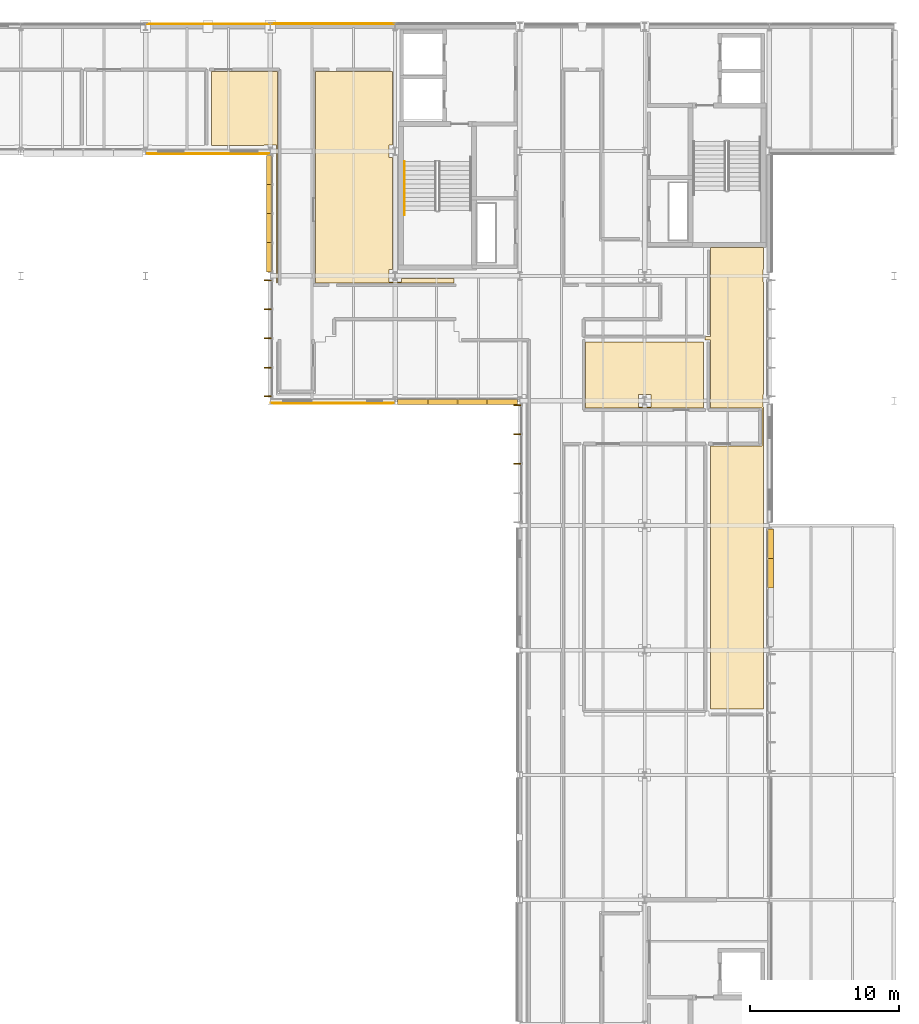
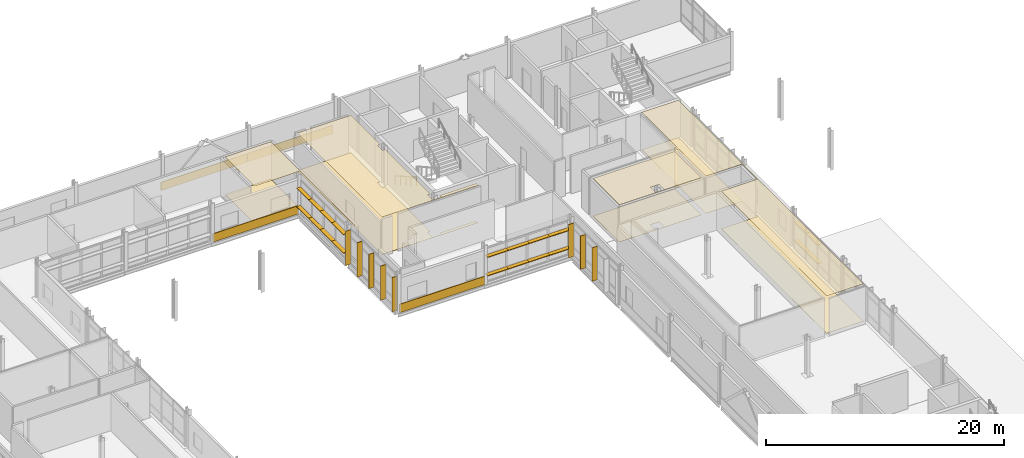
# One storey, part 149 of 151: 28 shading devices, 12 coverings, 1 railing.
"""IFC4 building model written with IfcOpenShell, lengths in metres."""

from ifc_helpers import new_model, si_unit, direction, frame, origin, origin_2d, place, context, subcontext, project, spatial, polyline, rectangle, circle, outline, extrude, material, layer, layer_set, type_object, element, save


model = new_model("IFC4")

# Units and contexts
model_context = context("Model", 3, precision=1e-05, world=origin(), true_north=direction((0.0, 1.0)))
body_context = subcontext(model_context, "Body", "Model", "MODEL_VIEW")
ifc_project = project(units=[si_unit("LENGTHUNIT", "METRE"), si_unit("AREAUNIT", "SQUARE_METRE"), si_unit("VOLUMEUNIT", "CUBIC_METRE"), si_unit("PLANEANGLEUNIT", "RADIAN"), si_unit("MASSUNIT", "GRAM", prefix="KILO")], contexts=[model_context])

# Site, building, storey
site_placement = place(None, origin())
site = spatial("IfcSite", under=ifc_project, at=site_placement, CompositionType="ELEMENT")
building_placement = place(site_placement, origin())
building = spatial("IfcBuilding", under=site, at=building_placement, Name="Mersafa Astral City Hall", CompositionType="ELEMENT")
storey_placement = place(building_placement, frame((0.0, 0.0, 9.89990234375)))
storey = spatial("IfcBuildingStorey", under=building, at=storey_placement, Name="L02", CompositionType="ELEMENT", Elevation=9.89990234375)

# Coverings
ifc_material_1 = material(Name="Cairo Mokattam buff limestone cladding", Category="masonry")
ifc_layer_1 = layer(ifc_material_1, 0.06005859375, Name="Cairo Mokattam buff limestone cladding")
ifc_layer_set_1 = layer_set([ifc_layer_1], Name="Cairo Mokattam buff limestone cladding — ENV-COV-LIMESTONE-60")
covering_type_1 = type_object("IfcCoveringType", Name="ENV-COV-LIMESTONE-60", PredefinedType="CLADDING", material=ifc_layer_set_1)
for number, where, z_axis, x_axis, name in (
    (1, (138.60009765625, 117.430419921875, 0.0), (0.0, 0.0, 1.0), (1.0, 0.0, 0.0), "L02 Cairo buff limestone rainscreen cladding 162"),
    (2, (147.0, 100.637939453125, 0.0), (0.0, 0.0, 1.0), (1.0, 0.0, 0.0), "L02 Cairo buff limestone rainscreen cladding 163"),
    (3, (147.0, 126.16943359375, 0.0), (0.0, 0.0, 1.0), (-1.0, 0.0, 0.0), "L02 Cairo buff limestone rainscreen cladding 180"),
    (4, (138.60009765625, 126.162109375, 0.0), (0.0, 0.0, 1.0), (-1.0, 0.0, 0.0), "L02 Cairo buff limestone rainscreen cladding 181"),
):
    element("IfcCovering", number, at=place(storey_placement, frame(where, z_axis=z_axis, x_axis=x_axis)), inside=storey, type_object=covering_type_1, Name=name, PredefinedType="CLADDING", context=body_context, shape_type="SweptSolid", body=[
        extrude(rectangle(XDim=8.323974609375, YDim=0.06005859375, at=origin_2d()), origin(), (0.0, 0.0, 1.0), 0.860107421875),
    ])

# Shading devices
ifc_material_2 = material(Name="Anodised bronze aluminium solar fin", Category="aluminium")
shading_device_type_1 = type_object("IfcShadingDeviceType", Name="ENV-SHD-FIN-500A", PredefinedType="USERDEFINED", material=ifc_material_2)
for number, where, z_axis, x_axis, name in (
    (5, (142.655029296875, 108.907958984375, -0.0146484375), (0.0, 0.0, 1.0), (0.0, -1.0, 0.0), "L02 Vertical bronze solar fin 766"),
    (6, (142.655029296875, 106.968994140625, -0.0146484375), (0.0, 0.0, 1.0), (0.0, -1.0, 0.0), "L02 Vertical bronze solar fin 767"),
    (7, (142.655029296875, 105.0, -0.0146484375), (0.0, 0.0, 1.0), (0.0, -1.0, 0.0), "L02 Vertical bronze solar fin 768"),
    (8, (142.655029296875, 103.031005859375, -0.0146484375), (0.0, 0.0, 1.0), (0.0, -1.0, 0.0), "L02 Vertical bronze solar fin 769"),
    (9, (142.655029296875, 101.092041015625, -0.0146484375), (0.0, 0.0, 1.0), (0.0, -1.0, 0.0), "L02 Vertical bronze solar fin 770"),
):
    element("IfcShadingDevice", number, at=place(storey_placement, frame(where, z_axis=z_axis, x_axis=x_axis)), inside=storey, type_object=shading_device_type_1, Name=name, ObjectType="FIN", PredefinedType="USERDEFINED", context=body_context, shape_type="SweptSolid", body=[
        extrude(rectangle(XDim=0.06005859375, YDim=0.5, at=origin_2d()), origin(), (0.0, 0.0, 1.0), 3.511962890625),
    ])
for number, where, z_axis, x_axis, name in (
    (10, (159.455078125, 100.508056640625, -0.01513671875), (0.0, 0.0, 1.0), (0.0, -1.0, 0.0), "L02 Vertical bronze solar fin 779"),
    (11, (159.455078125, 98.551513671875, -0.01513671875), (0.0, 0.0, 1.0), (0.0, -1.0, 0.0), "L02 Vertical bronze solar fin 780"),
    (12, (159.455078125, 96.56494140625, -0.01513671875), (0.0, 0.0, 1.0), (0.0, -1.0, 0.0), "L02 Vertical bronze solar fin 781"),
):
    element("IfcShadingDevice", number, at=place(storey_placement, frame(where, z_axis=z_axis, x_axis=x_axis)), inside=storey, type_object=shading_device_type_1, Name=name, ObjectType="FIN", PredefinedType="USERDEFINED", context=body_context, shape_type="SweptSolid", body=[
        extrude(rectangle(XDim=0.06005859375, YDim=0.5, at=origin_2d()), origin(), (0.0, 0.0, 1.0), 3.422119140625),
    ])
ifc_material_3 = material(Name="Kiln-dried cedar timber brise-soleil blade", Category="wood")
shading_device_type_2 = type_object("IfcShadingDeviceType", Name="ENV-SHD-LOUVRE-380", PredefinedType="JALOUSIE", material=ifc_material_3)
shading_device_1_placement = place(storey_placement, frame((142.719970703125, 116.33837890625, 0.81494140625), z_axis=(0.0, 0.0, 1.0), x_axis=(0.0, -1.0, 0.0)))
element("IfcShadingDevice", 13, at=shading_device_1_placement, inside=storey, type_object=shading_device_type_2, Name="L02 Horizontal cedar brise-soleil louvre 758", PredefinedType="JALOUSIE", context=body_context, shape_type="SweptSolid", body=[
    extrude(rectangle(XDim=1.97900390625, YDim=0.3798828125, at=origin_2d()), origin(), (0.0, 0.0, 1.0), 0.070068359375),
])
for number, where, z_axis, x_axis, name in (
    (14, (142.719970703125, 114.384521484375, 0.81494140625), (0.0, 0.0, 1.0), (0.0, -1.0, 0.0), "L02 Horizontal cedar brise-soleil louvre 759"),
    (15, (142.719970703125, 112.41552734375, 0.81494140625), (0.0, 0.0, 1.0), (0.0, -1.0, 0.0), "L02 Horizontal cedar brise-soleil louvre 760"),
):
    element("IfcShadingDevice", number, at=place(storey_placement, frame(where, z_axis=z_axis, x_axis=x_axis)), inside=storey, type_object=shading_device_type_2, Name=name, PredefinedType="JALOUSIE", context=body_context, shape_type="SweptSolid", body=[
        extrude(rectangle(XDim=2.009033203125, YDim=0.3798828125, at=origin_2d()), origin(), (0.0, 0.0, 1.0), 0.070068359375),
    ])
for number, where, z_axis, x_axis, name in (
    (16, (142.719970703125, 110.46142578125, 0.81494140625), (0.0, 0.0, 1.0), (0.0, -1.0, 0.0), "L02 Horizontal cedar brise-soleil louvre 761"),
    (17, (142.719970703125, 116.33837890625, 2.71484375), (0.0, 0.0, 1.0), (0.0, -1.0, 0.0), "L02 Horizontal cedar brise-soleil louvre 762"),
):
    element("IfcShadingDevice", number, at=place(storey_placement, frame(where, z_axis=z_axis, x_axis=x_axis)), inside=storey, type_object=shading_device_type_2, Name=name, PredefinedType="JALOUSIE", context=body_context, shape_type="SweptSolid", body=[
        extrude(rectangle(XDim=1.97900390625, YDim=0.3798828125, at=origin_2d()), origin(), (0.0, 0.0, 1.0), 0.070068359375),
    ])
for number, where, z_axis, x_axis, name in (
    (18, (142.719970703125, 114.384521484375, 2.71484375), (0.0, 0.0, 1.0), (0.0, -1.0, 0.0), "L02 Horizontal cedar brise-soleil louvre 763"),
    (19, (142.719970703125, 112.41552734375, 2.71484375), (0.0, 0.0, 1.0), (0.0, -1.0, 0.0), "L02 Horizontal cedar brise-soleil louvre 764"),
):
    element("IfcShadingDevice", number, at=place(storey_placement, frame(where, z_axis=z_axis, x_axis=x_axis)), inside=storey, type_object=shading_device_type_2, Name=name, PredefinedType="JALOUSIE", context=body_context, shape_type="SweptSolid", body=[
        extrude(rectangle(XDim=2.009033203125, YDim=0.3798828125, at=origin_2d()), origin(), (0.0, 0.0, 1.0), 0.070068359375),
    ])
shading_device_2_placement = place(storey_placement, frame((142.719970703125, 110.46142578125, 2.71484375), z_axis=(0.0, 0.0, 1.0), x_axis=(0.0, -1.0, 0.0)))
element("IfcShadingDevice", 20, at=shading_device_2_placement, inside=storey, type_object=shading_device_type_2, Name="L02 Horizontal cedar brise-soleil louvre 765", PredefinedType="JALOUSIE", context=body_context, shape_type="SweptSolid", body=[
    extrude(rectangle(XDim=1.97900390625, YDim=0.3798828125, at=origin_2d()), origin(), (0.0, 0.0, 1.0), 0.070068359375),
])
shading_device_3_placement = place(storey_placement, frame((152.386474609375, 100.719970703125, 0.81494140625), z_axis=(0.0, 0.0, 1.0), x_axis=(1.0, 0.0, 0.0)))
element("IfcShadingDevice", 21, at=shading_device_3_placement, inside=storey, type_object=shading_device_type_2, Name="L02 Horizontal cedar brise-soleil louvre 771", PredefinedType="JALOUSIE", context=body_context, shape_type="SweptSolid", body=[
    extrude(rectangle(XDim=2.029052734375, YDim=0.3798828125, at=origin_2d()), origin(), (0.0, 0.0, 1.0), 0.070068359375),
])
for number, where, z_axis, x_axis, name in (
    (22, (154.390380859375, 100.719970703125, 0.81494140625), (0.0, 0.0, 1.0), (1.0, 0.0, 0.0), "L02 Horizontal cedar brise-soleil louvre 772"),
    (23, (156.409423828125, 100.719970703125, 0.81494140625), (0.0, 0.0, 1.0), (1.0, 0.0, 0.0), "L02 Horizontal cedar brise-soleil louvre 773"),
):
    element("IfcShadingDevice", number, at=place(storey_placement, frame(where, z_axis=z_axis, x_axis=x_axis)), inside=storey, type_object=shading_device_type_2, Name=name, PredefinedType="JALOUSIE", context=body_context, shape_type="SweptSolid", body=[
        extrude(rectangle(XDim=2.05908203125, YDim=0.3798828125, at=origin_2d()), origin(), (0.0, 0.0, 1.0), 0.070068359375),
    ])
for number, where, z_axis, x_axis, name in (
    (24, (158.41357421875, 100.719970703125, 0.81494140625), (0.0, 0.0, 1.0), (1.0, 0.0, 0.0), "L02 Horizontal cedar brise-soleil louvre 774"),
    (25, (152.386474609375, 100.719970703125, 2.71484375), (0.0, 0.0, 1.0), (1.0, 0.0, 0.0), "L02 Horizontal cedar brise-soleil louvre 775"),
):
    element("IfcShadingDevice", number, at=place(storey_placement, frame(where, z_axis=z_axis, x_axis=x_axis)), inside=storey, type_object=shading_device_type_2, Name=name, PredefinedType="JALOUSIE", context=body_context, shape_type="SweptSolid", body=[
        extrude(rectangle(XDim=2.029052734375, YDim=0.3798828125, at=origin_2d()), origin(), (0.0, 0.0, 1.0), 0.070068359375),
    ])
for number, where, z_axis, x_axis, name in (
    (26, (154.390380859375, 100.719970703125, 2.71484375), (0.0, 0.0, 1.0), (1.0, 0.0, 0.0), "L02 Horizontal cedar brise-soleil louvre 776"),
    (27, (156.409423828125, 100.719970703125, 2.71484375), (0.0, 0.0, 1.0), (1.0, 0.0, 0.0), "L02 Horizontal cedar brise-soleil louvre 777"),
):
    element("IfcShadingDevice", number, at=place(storey_placement, frame(where, z_axis=z_axis, x_axis=x_axis)), inside=storey, type_object=shading_device_type_2, Name=name, PredefinedType="JALOUSIE", context=body_context, shape_type="SweptSolid", body=[
        extrude(rectangle(XDim=2.05908203125, YDim=0.3798828125, at=origin_2d()), origin(), (0.0, 0.0, 1.0), 0.070068359375),
    ])
shading_device_4_placement = place(storey_placement, frame((158.41357421875, 100.719970703125, 2.71484375), z_axis=(0.0, 0.0, 1.0), x_axis=(1.0, 0.0, 0.0)))
element("IfcShadingDevice", 28, at=shading_device_4_placement, inside=storey, type_object=shading_device_type_2, Name="L02 Horizontal cedar brise-soleil louvre 778", PredefinedType="JALOUSIE", context=body_context, shape_type="SweptSolid", body=[
    extrude(rectangle(XDim=2.029052734375, YDim=0.3798828125, at=origin_2d()), origin(), (0.0, 0.0, 1.0), 0.070068359375),
])
shading_device_5_placement = place(storey_placement, frame((176.47998046875, 89.190673828125, 0.81494140625), z_axis=(0.0, 0.0, 1.0), x_axis=(0.0, 1.0, 0.0)))
element("IfcShadingDevice", 29, at=shading_device_5_placement, inside=storey, type_object=shading_device_type_2, Name="L02 Horizontal cedar brise-soleil louvre 799", PredefinedType="JALOUSIE", context=body_context, shape_type="SweptSolid", body=[
    extrude(rectangle(XDim=2.021484375, YDim=0.3798828125, at=origin_2d()), origin(), (0.0, 0.0, 1.0), 0.070068359375),
])
shading_device_6_placement = place(storey_placement, frame((176.47998046875, 91.1572265625, 0.81494140625), z_axis=(0.0, 0.0, 1.0), x_axis=(0.0, 1.0, 0.0)))
element("IfcShadingDevice", 30, at=shading_device_6_placement, inside=storey, type_object=shading_device_type_2, Name="L02 Horizontal cedar brise-soleil louvre 800", PredefinedType="JALOUSIE", context=body_context, shape_type="SweptSolid", body=[
    extrude(rectangle(XDim=1.991455078125, YDim=0.3798828125, at=origin_2d()), origin(), (0.0, 0.0, 1.0), 0.070068359375),
])
shading_device_7_placement = place(storey_placement, frame((176.47998046875, 89.190673828125, 2.71484375), z_axis=(0.0, 0.0, 1.0), x_axis=(0.0, 1.0, 0.0)))
element("IfcShadingDevice", 31, at=shading_device_7_placement, inside=storey, type_object=shading_device_type_2, Name="L02 Horizontal cedar brise-soleil louvre 803", PredefinedType="JALOUSIE", context=body_context, shape_type="SweptSolid", body=[
    extrude(rectangle(XDim=2.021484375, YDim=0.3798828125, at=origin_2d()), origin(), (0.0, 0.0, 1.0), 0.070068359375),
])
shading_device_8_placement = place(storey_placement, frame((176.47998046875, 91.1572265625, 2.71484375), z_axis=(0.0, 0.0, 1.0), x_axis=(0.0, 1.0, 0.0)))
element("IfcShadingDevice", 32, at=shading_device_8_placement, inside=storey, type_object=shading_device_type_2, Name="L02 Horizontal cedar brise-soleil louvre 804", PredefinedType="JALOUSIE", context=body_context, shape_type="SweptSolid", body=[
    extrude(rectangle(XDim=1.991455078125, YDim=0.3798828125, at=origin_2d()), origin(), (0.0, 0.0, 1.0), 0.070068359375),
])

# Railing
ifc_material_4 = material(Name="Brushed stainless steel tubular handrail", Category="steel")
railing_type = type_object("IfcRailingType", Name="HANDRAIL", PredefinedType="HANDRAIL", material=ifc_material_4)
railing_placement = place(storey_placement, frame((151.830078125, 116.89990234375, 0.1689453125)))
element("IfcRailing", 33, at=railing_placement, inside=storey, type_object=railing_type, Name="L02 ST1 stair handrail 1", PredefinedType="HANDRAIL", context=body_context, shape_type="SweptSolid", body=[
    extrude(circle(Radius=0.02392578125, at=origin_2d()), frame((0.0, 0.0, 0.8759765625), z_axis=(0.0, -0.871273963605, 0.490796984856), x_axis=(1.0, 0.0, 0.0)), (0.0, 0.0, 1.0), 4.131591796875),
    extrude(circle(Radius=0.02099609375, at=origin_2d()), origin(), (0.0, 0.0, 1.0), 0.851806640625),
    extrude(circle(Radius=0.02099609375, at=origin_2d()), frame((0.0, -0.89990234375, 0.5068359375)), (0.0, 0.0, 1.0), 0.851806640625),
    extrude(circle(Radius=0.02099609375, at=origin_2d()), frame((0.0, -1.7998046875, 1.013916015625)), (0.0, 0.0, 1.0), 0.851806640625),
    extrude(circle(Radius=0.02099609375, at=origin_2d()), frame((0.0, -2.699951171875, 1.52099609375)), (0.0, 0.0, 1.0), 0.851806640625),
    extrude(circle(Radius=0.02099609375, at=origin_2d()), frame((0.0, -3.599853515625, 2.02783203125)), (0.0, 0.0, 1.0), 0.851806640625),
])

# Coverings
ifc_material_5 = material(Name="Perforated acoustic gypsum board ceiling", Category="gypsum")
ifc_layer_2 = layer(ifc_material_5, 0.02490234375, Name="Perforated acoustic gypsum board ceiling")
ifc_layer_set_2 = layer_set([ifc_layer_2], Name="Perforated acoustic gypsum board ceiling — INT-COV-CEIL-25")
covering_type_2 = type_object("IfcCoveringType", Name="INT-COV-CEIL-25", PredefinedType="CEILING", material=ifc_layer_set_2)
covering_1_placement = place(storey_placement, frame((0.0, 0.0, 3.8310546875)))
element("IfcCovering", 34, at=covering_1_placement, inside=storey, type_object=covering_type_2, Name="L02 Civic Model Exhibition Room L02-09 acoustic ceiling", PredefinedType="CEILING", context=body_context, shape_type="SweptSolid", body=[
    extrude(outline(polyline([(175.919921875, 100.320068359375), (172.429931640625, 100.320068359375), (172.429931640625, 104.8798828125), (172.080078125, 104.8798828125), (172.080078125, 105.1201171875), (172.429931640625, 105.1201171875), (172.429931640625, 111.1201171875), (176.0, 111.1201171875), (176.0, 109.6201171875), (175.97998046875, 109.6201171875), (175.97998046875, 108.780029296875), (176.0, 108.780029296875), (176.0, 101.219970703125), (175.97998046875, 101.219970703125), (175.97998046875, 100.3798828125), (176.0, 100.3798828125), (176.0, 80.030029296875), (172.429931640625, 80.030029296875), (172.429931640625, 97.760009765625), (175.919921875, 97.760009765625), (175.919921875, 100.320068359375)])), origin(), (0.0, 0.0, 1.0), 0.025146484375),
])
covering_2_placement = place(storey_placement, frame((0.0, 0.0, 3.8310546875)))
element("IfcCovering", 35, at=covering_2_placement, inside=storey, type_object=covering_type_2, Name="L02 Hearing Room L02-13 acoustic ceiling", PredefinedType="CEILING", context=body_context, shape_type="SweptSolid", body=[
    extrude(outline(polyline([(151.0400390625, 118.02001953125), (150.780029296875, 118.02001953125), (150.780029296875, 117.179931640625), (151.0400390625, 117.179931640625), (151.0400390625, 109.6201171875), (150.780029296875, 109.6201171875), (150.780029296875, 108.780029296875), (151.6201171875, 108.780029296875), (151.6201171875, 109.0400390625), (155.169921875, 109.0400390625), (155.169921875, 108.719970703125), (145.840087890625, 108.719970703125), (145.840087890625, 122.9599609375), (151.0400390625, 122.9599609375), (151.0400390625, 118.02001953125)])), origin(), (0.0, 0.0, 1.0), 0.025146484375),
])
covering_3_placement = place(storey_placement, frame((0.0, 0.0, 3.8310546875)))
element("IfcCovering", 36, at=covering_3_placement, inside=storey, type_object=covering_type_2, Name="L02 Urban Planning Studio L02-25 acoustic ceiling", PredefinedType="CEILING", context=body_context, shape_type="SweptSolid", body=[
    extrude(outline(polyline([(171.969970703125, 104.77001953125), (171.969970703125, 100.320068359375), (164.030029296875, 100.320068359375), (164.030029296875, 104.77001953125), (171.969970703125, 104.77001953125)]), holes=[polyline([(167.580078125, 100.3798828125), (168.419921875, 100.3798828125), (168.419921875, 101.219970703125), (167.580078125, 101.219970703125), (167.580078125, 100.3798828125)])]), origin(), (0.0, 0.0, 1.0), 0.025146484375),
])
covering_4_placement = place(storey_placement, frame((0.0, 0.0, 3.8310546875)))
element("IfcCovering", 37, at=covering_4_placement, inside=storey, type_object=covering_type_2, Name="L02 Civic Model Exhibition Room L02-27 acoustic ceiling", PredefinedType="CEILING", context=body_context, shape_type="SweptSolid", body=[
    extrude(outline(polyline([(138.830078125, 118.0), (138.830078125, 122.9599609375), (143.280029296875, 122.9599609375), (143.280029296875, 108.719970703125), (143.199951171875, 108.719970703125), (143.199951171875, 108.780029296875), (143.219970703125, 108.780029296875), (143.219970703125, 109.6201171875), (143.199951171875, 109.6201171875), (143.199951171875, 117.179931640625), (143.219970703125, 117.179931640625), (143.219970703125, 118.02001953125), (142.3798828125, 118.02001953125), (142.3798828125, 118.0), (138.830078125, 118.0)])), origin(), (0.0, 0.0, 1.0), 0.025146484375),
])
ifc_material_6 = material(Name="Heavy-duty woven acoustic carpet tile", Category="finish")
ifc_layer_3 = layer(ifc_material_6, 0.014892578125, Name="Heavy-duty woven acoustic carpet tile")
ifc_layer_set_3 = layer_set([ifc_layer_3], Name="Heavy-duty woven acoustic carpet tile — INT-COV-FLR-15")
covering_type_3 = type_object("IfcCoveringType", Name="INT-COV-FLR-15", PredefinedType="FLOORING", material=ifc_layer_set_3)
covering_5_placement = place(storey_placement, frame((0.0, 0.0, -0.00146484375)))
element("IfcCovering", 38, at=covering_5_placement, inside=storey, type_object=covering_type_3, Name="L02 Civic Model Exhibition Room L02-09 architectural flooring", PredefinedType="FLOORING", context=body_context, shape_type="SweptSolid", body=[
    extrude(outline(polyline([(175.919921875, 100.320068359375), (172.429931640625, 100.320068359375), (172.429931640625, 104.8798828125), (172.080078125, 104.8798828125), (172.080078125, 105.1201171875), (172.429931640625, 105.1201171875), (172.429931640625, 111.1201171875), (176.0, 111.1201171875), (176.0, 109.6201171875), (175.97998046875, 109.6201171875), (175.97998046875, 108.780029296875), (176.0, 108.780029296875), (176.0, 101.219970703125), (175.97998046875, 101.219970703125), (175.97998046875, 100.3798828125), (176.0, 100.3798828125), (176.0, 80.030029296875), (172.429931640625, 80.030029296875), (172.429931640625, 97.760009765625), (175.919921875, 97.760009765625), (175.919921875, 100.320068359375)])), origin(), (0.0, 0.0, 1.0), 0.014892578125),
])
covering_6_placement = place(storey_placement, frame((0.0, 0.0, -0.00146484375)))
element("IfcCovering", 39, at=covering_6_placement, inside=storey, type_object=covering_type_3, Name="L02 Hearing Room L02-13 architectural flooring", PredefinedType="FLOORING", context=body_context, shape_type="SweptSolid", body=[
    extrude(outline(polyline([(151.0400390625, 118.02001953125), (150.780029296875, 118.02001953125), (150.780029296875, 117.179931640625), (151.0400390625, 117.179931640625), (151.0400390625, 109.6201171875), (150.780029296875, 109.6201171875), (150.780029296875, 108.780029296875), (151.6201171875, 108.780029296875), (151.6201171875, 109.0400390625), (155.169921875, 109.0400390625), (155.169921875, 108.719970703125), (145.840087890625, 108.719970703125), (145.840087890625, 122.9599609375), (151.0400390625, 122.9599609375), (151.0400390625, 118.02001953125)])), origin(), (0.0, 0.0, 1.0), 0.014892578125),
])
covering_7_placement = place(storey_placement, frame((0.0, 0.0, -0.00146484375)))
element("IfcCovering", 40, at=covering_7_placement, inside=storey, type_object=covering_type_3, Name="L02 Urban Planning Studio L02-25 architectural flooring", PredefinedType="FLOORING", context=body_context, shape_type="SweptSolid", body=[
    extrude(outline(polyline([(171.969970703125, 104.77001953125), (171.969970703125, 100.320068359375), (164.030029296875, 100.320068359375), (164.030029296875, 104.77001953125), (171.969970703125, 104.77001953125)]), holes=[polyline([(167.580078125, 100.3798828125), (168.419921875, 100.3798828125), (168.419921875, 101.219970703125), (167.580078125, 101.219970703125), (167.580078125, 100.3798828125)])]), origin(), (0.0, 0.0, 1.0), 0.014892578125),
])
covering_8_placement = place(storey_placement, frame((0.0, 0.0, -0.00146484375)))
element("IfcCovering", 41, at=covering_8_placement, inside=storey, type_object=covering_type_3, Name="L02 Civic Model Exhibition Room L02-27 architectural flooring", PredefinedType="FLOORING", context=body_context, shape_type="SweptSolid", body=[
    extrude(outline(polyline([(138.830078125, 118.0), (138.830078125, 122.9599609375), (143.280029296875, 122.9599609375), (143.280029296875, 108.719970703125), (143.199951171875, 108.719970703125), (143.199951171875, 108.780029296875), (143.219970703125, 108.780029296875), (143.219970703125, 109.6201171875), (143.199951171875, 109.6201171875), (143.199951171875, 117.179931640625), (143.219970703125, 117.179931640625), (143.219970703125, 118.02001953125), (142.3798828125, 118.02001953125), (142.3798828125, 118.0), (138.830078125, 118.0)])), origin(), (0.0, 0.0, 1.0), 0.014892578125),
])

save(model, "model.ifc")
